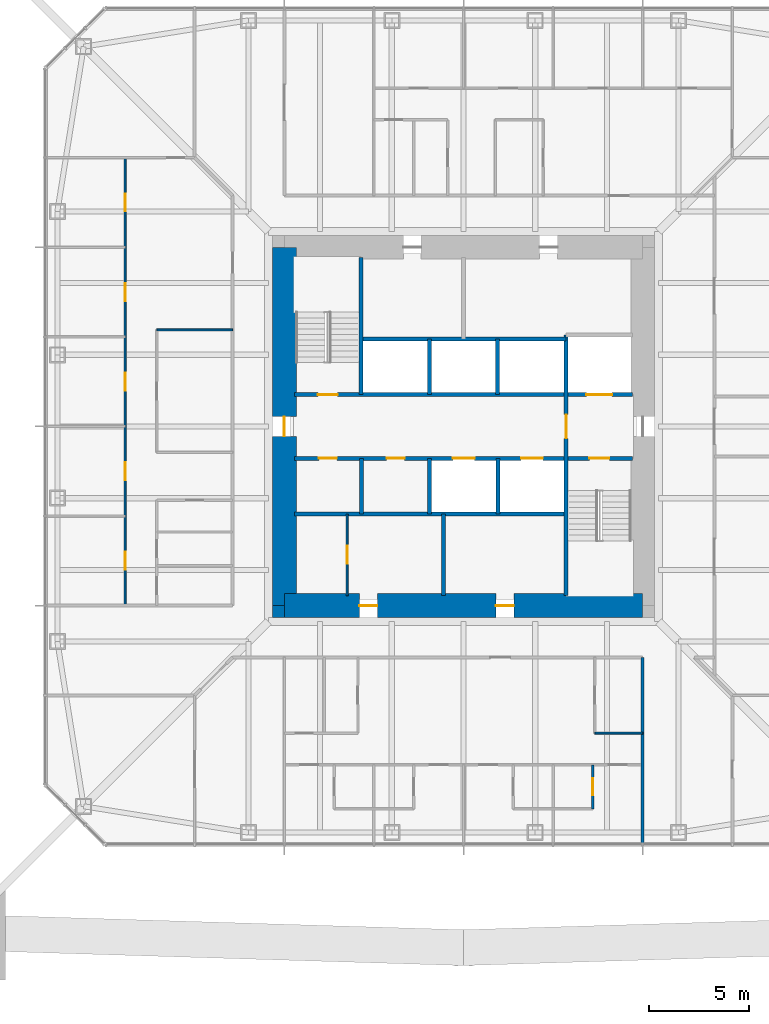
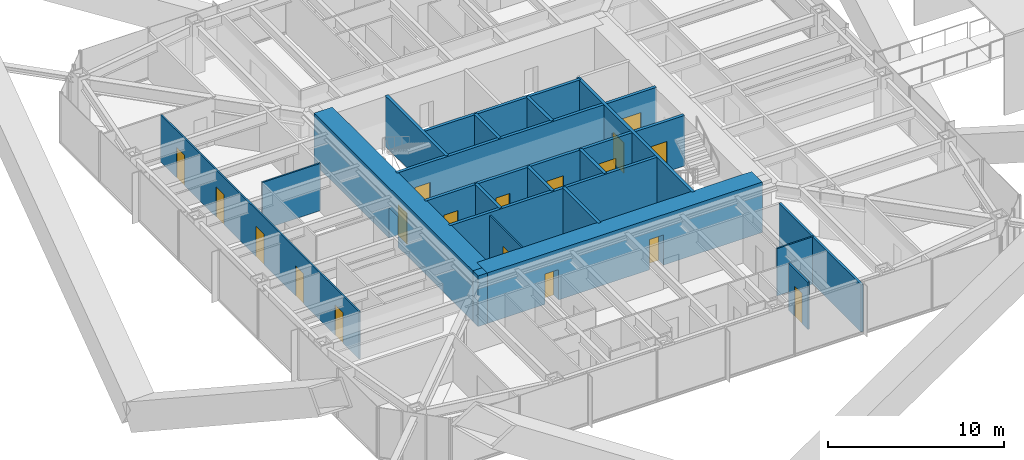
# One storey, part 18 of 28: 21 walls, 18 doors, 18 openings.
"""IFC4 building model written with IfcOpenShell, lengths in metres."""

from ifc_helpers import new_model, si_unit, direction, frame, frame_2d, origin, place, context, subcontext, project, spatial, rectangle, extrude, material, layer, layer_set, type_object, element, fill, save


model = new_model("IFC4")

# Units and contexts
model_context = context("Model", 3, precision=1e-05, world=origin(), true_north=direction((0.0, 1.0)))
body_context = subcontext(model_context, "Body", "Model", "MODEL_VIEW")
ifc_project = project(units=[si_unit("LENGTHUNIT", "METRE"), si_unit("AREAUNIT", "SQUARE_METRE"), si_unit("VOLUMEUNIT", "CUBIC_METRE"), si_unit("PLANEANGLEUNIT", "RADIAN"), si_unit("MASSUNIT", "GRAM", prefix="KILO")], contexts=[model_context])

# Site, building, storey
site_placement = place(None, origin())
site = spatial("IfcSite", under=ifc_project, at=site_placement, CompositionType="ELEMENT")
building_placement = place(site_placement, origin())
building = spatial("IfcBuilding", under=site, at=building_placement, Name="Iwan Alto Co-Living Towers", CompositionType="ELEMENT")
storey_placement = place(building_placement, frame((0.0, 0.0, 98.0)))
storey = spatial("IfcBuildingStorey", under=building, at=storey_placement, Name="L26", CompositionType="ELEMENT", Elevation=98.0)

# Walls
ifc_material_1 = material(Name="Gypsum board")
ifc_layer_1 = layer(ifc_material_1, 0.02490234375, Name="Board", Category="Finish")
ifc_material_2 = material(Name="Steel ASTM A1003 ST33H cold-formed studs", Category="steel")
ifc_layer_2 = layer(ifc_material_2, 0.10009765625, Name="Studs", Category="Framing")
ifc_layer_3 = layer(ifc_material_1, 0.02490234375, Name="Board", Category="Finish")
ifc_layer_set_1 = layer_set([ifc_layer_1, ifc_layer_2, ifc_layer_3], Name="CORRIDOR WALL 150")
wall_type_1 = type_object("IfcWallType", Name="CORRIDOR WALL 150", PredefinedType="PARTITIONING", material=ifc_layer_set_1)
wall_1_placement = place(storey_placement, frame((9.0, -20.93994140625, 0.0), z_axis=(0.0, 0.0, 1.0), x_axis=(0.0, 1.0, 0.0)))
element("IfcWall", 1, at=wall_1_placement, inside=storey, type_object=wall_type_1, Name="Partition L26", PredefinedType="PARTITIONING", context=body_context, shape_type="SweptSolid", body=[
    extrude(rectangle(XDim=9.33984375, YDim=0.14990234375, at=frame_2d((4.669921875, 0.0))), origin(), (0.0, 0.0, 1.0), 3.27001953125),
])
ifc_layer_4 = layer(ifc_material_1, 0.012451171875, Name="Board", Category="Finish")
ifc_layer_5 = layer(ifc_material_2, 0.074951171875, Name="Studs", Category="Framing")
ifc_layer_6 = layer(ifc_material_1, 0.012451171875, Name="Board", Category="Finish")
ifc_layer_set_2 = layer_set([ifc_layer_4, ifc_layer_5, ifc_layer_6], Name="PARTITION 100")
wall_type_2 = type_object("IfcWallType", Name="PARTITION 100", PredefinedType="PARTITIONING", material=ifc_layer_set_2)
wall_2_placement = place(storey_placement, frame((6.60009765625, -15.39990234375, 0.0), z_axis=(0.0, 0.0, 1.0), x_axis=(1.0, 0.0, 0.0)))
element("IfcWall", 2, at=wall_2_placement, inside=storey, type_object=wall_type_2, Name="Partition L26", PredefinedType="PARTITIONING", context=body_context, shape_type="SweptSolid", body=[
    extrude(rectangle(XDim=2.39990234375, YDim=0.10009765625, at=frame_2d((1.199951171875, 0.0))), origin(), (0.0, 0.0, 1.0), 3.27001953125),
])
wall_3_placement = place(storey_placement, frame((-15.39990234375, 4.85009765625, 0.0), z_axis=(0.0, 0.0, 1.0), x_axis=(1.0, 0.0, 0.0)))
element("IfcWall", 3, at=wall_3_placement, inside=storey, type_object=wall_type_2, Name="Partition L26", PredefinedType="PARTITIONING", context=body_context, shape_type="SweptSolid", body=[
    extrude(rectangle(XDim=3.7998046875, YDim=0.10009765625, at=frame_2d((1.89990234375, 0.0))), origin(), (0.0, 0.0, 1.0), 3.27001953125),
])

# Wall, opening, door
wall_4_placement = place(storey_placement, frame((-5.85009765625, -8.489990234375, 0.0), z_axis=(0.0, 0.0, 1.0), x_axis=(0.0, 1.0, 0.0)))
wall_4 = element("IfcWall", 4, at=wall_4_placement, inside=storey, type_object=wall_type_2, Name="Partition L26", PredefinedType="PARTITIONING", context=body_context, shape_type="SweptSolid", body=[
    extrude(rectangle(XDim=4.090087890625, YDim=0.10009765625, at=frame_2d((2.044921875, 0.0))), origin(), (0.0, 0.0, 1.0), 3.300048828125),
])
opening_1_placement = place(wall_4_placement, frame((1.594970703125, 0.0, 0.0)))
opening_1 = element("IfcOpeningElement", 5, at=opening_1_placement, cuts=wall_4, Name="Opening D16", PredefinedType="OPENING", context=body_context, shape_type="SweptSolid", body=[
    extrude(rectangle(XDim=0.89990234375, YDim=2.10009765625, at=frame_2d((0.449951171875, 1.050048828125))), frame((0.0, 0.06005859375, 0.0), z_axis=(0.0, -1.0, 0.0), x_axis=(1.0, 0.0, 0.0)), (0.0, 0.0, 1.0), 0.1201171875),
])
ifc_material_3 = material(Name="Timber leaf in steel frame", Category="steel")
door_type_1 = type_object("IfcDoorType", Name="CUPBOARD SLIDING DOOR 900X2100", OperationType="SLIDING_TO_LEFT", PredefinedType="DOOR", material=ifc_material_3)
door_1_placement = place(opening_1_placement, origin())
door_1 = element("IfcDoor", 6, at=door_1_placement, inside=storey, type_object=door_type_1, Name="Recycling store door L26", OperationType="SLIDING_TO_LEFT", OverallHeight=2.10009765625, OverallWidth=0.89990234375, PredefinedType="DOOR", context=body_context, shape_type="SweptSolid", body=[
    extrude(rectangle(XDim=0.89990234375, YDim=2.10009765625, at=frame_2d((0.449951171875, 1.050048828125))), frame((0.0, 0.02490234375, 0.0), z_axis=(0.0, -1.0, 0.0), x_axis=(1.0, 0.0, 0.0)), (0.0, 0.0, 1.0), 0.050048828125),
])
fill(opening_1, door_1)

# Wall, openings, doors
wall_5_placement = place(storey_placement, frame((-17.0, -9.0, 0.0), z_axis=(0.0, 0.0, 1.0), x_axis=(0.0, 1.0, 0.0)))
wall_5 = element("IfcWall", 7, at=wall_5_placement, inside=storey, type_object=wall_type_2, Name="Partition L26", PredefinedType="PARTITIONING", context=body_context, shape_type="SweptSolid", body=[
    extrude(rectangle(XDim=22.5, YDim=0.10009765625, at=frame_2d((11.25, 0.0))), origin(), (0.0, 0.0, 1.0), 3.27001953125),
])
opening_2_placement = place(wall_5_placement, frame((19.800048828125, 0.0, 0.0)))
opening_2 = element("IfcOpeningElement", 8, at=opening_2_placement, cuts=wall_5, Name="Opening D1", PredefinedType="OPENING", context=body_context, shape_type="SweptSolid", body=[
    extrude(rectangle(XDim=0.89990234375, YDim=2.10009765625, at=frame_2d((0.449951171875, 1.050048828125))), frame((0.0, 0.06005859375, 0.0), z_axis=(0.0, -1.0, 0.0), x_axis=(1.0, 0.0, 0.0)), (0.0, 0.0, 1.0), 0.1201171875),
])
opening_3_placement = place(wall_5_placement, frame((15.300048828125, 0.0, 0.0)))
opening_3 = element("IfcOpeningElement", 9, at=opening_3_placement, cuts=wall_5, Name="Opening D1", PredefinedType="OPENING", context=body_context, shape_type="SweptSolid", body=[
    extrude(rectangle(XDim=0.89990234375, YDim=2.10009765625, at=frame_2d((0.449951171875, 1.050048828125))), frame((0.0, 0.06005859375, 0.0), z_axis=(0.0, -1.0, 0.0), x_axis=(1.0, 0.0, 0.0)), (0.0, 0.0, 1.0), 0.1201171875),
])
opening_4_placement = place(wall_5_placement, frame((10.800048828125, 0.0, 0.0)))
opening_4 = element("IfcOpeningElement", 10, at=opening_4_placement, cuts=wall_5, Name="Opening D1", PredefinedType="OPENING", context=body_context, shape_type="SweptSolid", body=[
    extrude(rectangle(XDim=0.89990234375, YDim=2.10009765625, at=frame_2d((0.449951171875, 1.050048828125))), frame((0.0, 0.06005859375, 0.0), z_axis=(0.0, -1.0, 0.0), x_axis=(1.0, 0.0, 0.0)), (0.0, 0.0, 1.0), 0.1201171875),
])
opening_5_placement = place(wall_5_placement, frame((6.300048828125, 0.0, 0.0)))
opening_5 = element("IfcOpeningElement", 11, at=opening_5_placement, cuts=wall_5, Name="Opening D1", PredefinedType="OPENING", context=body_context, shape_type="SweptSolid", body=[
    extrude(rectangle(XDim=0.89990234375, YDim=2.10009765625, at=frame_2d((0.449951171875, 1.050048828125))), frame((0.0, 0.06005859375, 0.0), z_axis=(0.0, -1.0, 0.0), x_axis=(1.0, 0.0, 0.0)), (0.0, 0.0, 1.0), 0.1201171875),
])
opening_6_placement = place(wall_5_placement, frame((1.800048828125, 0.0, 0.0)))
opening_6 = element("IfcOpeningElement", 12, at=opening_6_placement, cuts=wall_5, Name="Opening D1", PredefinedType="OPENING", context=body_context, shape_type="SweptSolid", body=[
    extrude(rectangle(XDim=0.89990234375, YDim=2.10009765625, at=frame_2d((0.449951171875, 1.050048828125))), frame((0.0, 0.06005859375, 0.0), z_axis=(0.0, -1.0, 0.0), x_axis=(1.0, 0.0, 0.0)), (0.0, 0.0, 1.0), 0.1201171875),
])
ifc_material_4 = material(Name="Timber leaf in steel frame", Category="steel")
door_type_2 = type_object("IfcDoorType", Name="BEDROOM DOOR 900X2100", OperationType="SINGLE_SWING_LEFT", PredefinedType="DOOR", material=ifc_material_4)
door_2_placement = place(opening_2_placement, frame((0.89990234375, 0.0, 0.0), z_axis=(0.0, 0.0, 1.0), x_axis=(-1.0, 0.0, 0.0)))
door_2 = element("IfcDoor", 13, at=door_2_placement, inside=storey, type_object=door_type_2, Name="Study bedroom door L26", OperationType="SINGLE_SWING_LEFT", OverallHeight=2.10009765625, OverallWidth=0.89990234375, PredefinedType="DOOR", context=body_context, shape_type="SweptSolid", body=[
    extrude(rectangle(XDim=0.89990234375, YDim=2.10009765625, at=frame_2d((0.449951171875, 1.050048828125))), frame((0.0, 0.02490234375, 0.0), z_axis=(0.0, -1.0, 0.0), x_axis=(1.0, 0.0, 0.0)), (0.0, 0.0, 1.0), 0.050048828125),
])
fill(opening_2, door_2)
door_3_placement = place(opening_3_placement, frame((0.89990234375, 0.0, 0.0), z_axis=(0.0, 0.0, 1.0), x_axis=(-1.0, 0.0, 0.0)))
door_3 = element("IfcDoor", 14, at=door_3_placement, inside=storey, type_object=door_type_2, Name="Study bedroom door L26", OperationType="SINGLE_SWING_LEFT", OverallHeight=2.10009765625, OverallWidth=0.89990234375, PredefinedType="DOOR", context=body_context, shape_type="SweptSolid", body=[
    extrude(rectangle(XDim=0.89990234375, YDim=2.10009765625, at=frame_2d((0.449951171875, 1.050048828125))), frame((0.0, 0.02490234375, 0.0), z_axis=(0.0, -1.0, 0.0), x_axis=(1.0, 0.0, 0.0)), (0.0, 0.0, 1.0), 0.050048828125),
])
fill(opening_3, door_3)
door_4_placement = place(opening_4_placement, frame((0.89990234375, 0.0, 0.0), z_axis=(0.0, 0.0, 1.0), x_axis=(-1.0, 0.0, 0.0)))
door_4 = element("IfcDoor", 15, at=door_4_placement, inside=storey, type_object=door_type_2, Name="Study bedroom door L26", OperationType="SINGLE_SWING_RIGHT", OverallHeight=2.10009765625, OverallWidth=0.89990234375, PredefinedType="DOOR", context=body_context, shape_type="SweptSolid", body=[
    extrude(rectangle(XDim=0.89990234375, YDim=2.10009765625, at=frame_2d((0.449951171875, 1.050048828125))), frame((0.0, 0.02490234375, 0.0), z_axis=(0.0, -1.0, 0.0), x_axis=(1.0, 0.0, 0.0)), (0.0, 0.0, 1.0), 0.050048828125),
])
fill(opening_4, door_4)
door_5_placement = place(opening_5_placement, frame((0.89990234375, 0.0, 0.0), z_axis=(0.0, 0.0, 1.0), x_axis=(-1.0, 0.0, 0.0)))
door_5 = element("IfcDoor", 16, at=door_5_placement, inside=storey, type_object=door_type_2, Name="Study bedroom door L26", OperationType="SINGLE_SWING_RIGHT", OverallHeight=2.10009765625, OverallWidth=0.89990234375, PredefinedType="DOOR", context=body_context, shape_type="SweptSolid", body=[
    extrude(rectangle(XDim=0.89990234375, YDim=2.10009765625, at=frame_2d((0.449951171875, 1.050048828125))), frame((0.0, 0.02490234375, 0.0), z_axis=(0.0, -1.0, 0.0), x_axis=(1.0, 0.0, 0.0)), (0.0, 0.0, 1.0), 0.050048828125),
])
fill(opening_5, door_5)
door_6_placement = place(opening_6_placement, frame((0.89990234375, 0.0, 0.0), z_axis=(0.0, 0.0, 1.0), x_axis=(-1.0, 0.0, 0.0)))
door_6 = element("IfcDoor", 17, at=door_6_placement, inside=storey, type_object=door_type_2, Name="Study bedroom door L26", OperationType="SINGLE_SWING_RIGHT", OverallHeight=2.10009765625, OverallWidth=0.89990234375, PredefinedType="DOOR", context=body_context, shape_type="SweptSolid", body=[
    extrude(rectangle(XDim=0.89990234375, YDim=2.10009765625, at=frame_2d((0.449951171875, 1.050048828125))), frame((0.0, 0.02490234375, 0.0), z_axis=(0.0, -1.0, 0.0), x_axis=(1.0, 0.0, 0.0)), (0.0, 0.0, 1.0), 0.050048828125),
])
fill(opening_6, door_6)

# Wall
ifc_material_5 = material(Name="Concrete f'c 70 MPa", Category="concrete")
ifc_layer_7 = layer(ifc_material_5, 0.199951171875)
ifc_layer_set_3 = layer_set([ifc_layer_7], Name="SHAFT WALL 200")
wall_type_3 = type_object("IfcWallType", Name="SHAFT WALL 200", PredefinedType="SOLIDWALL", material=ifc_layer_set_3)
wall_6_placement = place(storey_placement, frame((-8.489990234375, -4.39990234375, 0.0), z_axis=(0.0, 0.0, 1.0), x_axis=(1.0, 0.0, 0.0)))
element("IfcWall", 18, at=wall_6_placement, inside=storey, type_object=wall_type_3, Name="Shaft wall L26", PredefinedType="SOLIDWALL", context=body_context, shape_type="SweptSolid", body=[
    extrude(rectangle(XDim=13.639892578125, YDim=0.199951171875, at=frame_2d((6.81982421875, 0.0))), origin(), (0.0, 0.0, 1.0), 3.5),
])

# Wall, openings, doors
wall_7_placement = place(storey_placement, frame((-8.489990234375, -1.60009765625, 0.0), z_axis=(0.0, 0.0, 1.0), x_axis=(1.0, 0.0, 0.0)))
wall_7 = element("IfcWall", 19, at=wall_7_placement, inside=storey, type_object=wall_type_3, Name="Shaft wall L26", PredefinedType="SOLIDWALL", context=body_context, shape_type="SweptSolid", body=[
    extrude(rectangle(XDim=16.97998046875, YDim=0.199951171875, at=frame_2d((8.489990234375, 0.0))), origin(), (0.0, 0.0, 1.0), 3.5),
])
opening_7_placement = place(wall_7_placement, frame((14.81005859375, 0.0, 0.0)))
opening_7 = element("IfcOpeningElement", 20, at=opening_7_placement, cuts=wall_7, Name="Opening D5", PredefinedType="OPENING", context=body_context, shape_type="SweptSolid", body=[
    extrude(rectangle(XDim=1.0, YDim=2.10009765625, at=frame_2d((0.5, 1.050048828125))), frame((0.0, 0.10986328125, 0.0), z_axis=(0.0, -1.0, 0.0), x_axis=(1.0, 0.0, 0.0)), (0.0, 0.0, 1.0), 0.219970703125),
])
opening_8_placement = place(wall_7_placement, frame((1.23193359375, 0.0, 0.0)))
opening_8 = element("IfcOpeningElement", 21, at=opening_8_placement, cuts=wall_7, Name="Opening D15", PredefinedType="OPENING", context=body_context, shape_type="SweptSolid", body=[
    extrude(rectangle(XDim=0.89990234375, YDim=2.10009765625, at=frame_2d((0.449951171875, 1.050048828125))), frame((0.0, 0.10986328125, 0.0), z_axis=(0.0, -1.0, 0.0), x_axis=(1.0, 0.0, 0.0)), (0.0, 0.0, 1.0), 0.219970703125),
])
opening_9_placement = place(wall_7_placement, frame((4.626953125, 0.0, 0.0)))
opening_9 = element("IfcOpeningElement", 22, at=opening_9_placement, cuts=wall_7, Name="Opening D15", PredefinedType="OPENING", context=body_context, shape_type="SweptSolid", body=[
    extrude(rectangle(XDim=0.89990234375, YDim=2.10009765625, at=frame_2d((0.449951171875, 1.050048828125))), frame((0.0, 0.10986328125, 0.0), z_axis=(0.0, -1.0, 0.0), x_axis=(1.0, 0.0, 0.0)), (0.0, 0.0, 1.0), 0.219970703125),
])
opening_10_placement = place(wall_7_placement, frame((7.952880859375, 0.0, 0.0)))
opening_10 = element("IfcOpeningElement", 23, at=opening_10_placement, cuts=wall_7, Name="Opening LD", PredefinedType="OPENING", context=body_context, shape_type="SweptSolid", body=[
    extrude(rectangle(XDim=1.10009765625, YDim=2.10009765625, at=frame_2d((0.550048828125, 1.050048828125))), frame((0.0, 0.10986328125, 0.0), z_axis=(0.0, -1.0, 0.0), x_axis=(1.0, 0.0, 0.0)), (0.0, 0.0, 1.0), 0.219970703125),
])
opening_11_placement = place(wall_7_placement, frame((11.3779296875, 0.0, 0.0)))
opening_11 = element("IfcOpeningElement", 24, at=opening_11_placement, cuts=wall_7, Name="Opening LD", PredefinedType="OPENING", context=body_context, shape_type="SweptSolid", body=[
    extrude(rectangle(XDim=1.10009765625, YDim=2.10009765625, at=frame_2d((0.550048828125, 1.050048828125))), frame((0.0, 0.10986328125, 0.0), z_axis=(0.0, -1.0, 0.0), x_axis=(1.0, 0.0, 0.0)), (0.0, 0.0, 1.0), 0.219970703125),
])
ifc_material_6 = material(Name="Steel frame with timber leaf", Category="steel")
door_type_3 = type_object("IfcDoorType", Name="CORE ROOM DOOR FD60S 900X2100", OperationType="SINGLE_SWING_LEFT", PredefinedType="DOOR", material=ifc_material_6)
door_7_placement = place(opening_8_placement, frame((0.89990234375, 0.0, 0.0), z_axis=(0.0, 0.0, 1.0), x_axis=(-1.0, 0.0, 0.0)))
door_7 = element("IfcDoor", 25, at=door_7_placement, inside=storey, type_object=door_type_3, Name="Guest pantry door L26", OperationType="SINGLE_SWING_LEFT", OverallHeight=2.10009765625, OverallWidth=0.89990234375, PredefinedType="DOOR", context=body_context, shape_type="SweptSolid", body=[
    extrude(rectangle(XDim=0.89990234375, YDim=2.10009765625, at=frame_2d((0.449951171875, 1.050048828125))), frame((0.0, 0.02490234375, 0.0), z_axis=(0.0, -1.0, 0.0), x_axis=(1.0, 0.0, 0.0)), (0.0, 0.0, 1.0), 0.050048828125),
])
fill(opening_8, door_7)
door_8_placement = place(opening_9_placement, frame((0.89990234375, 0.0, 0.0), z_axis=(0.0, 0.0, 1.0), x_axis=(-1.0, 0.0, 0.0)))
door_8 = element("IfcDoor", 26, at=door_8_placement, inside=storey, type_object=door_type_3, Name="Cleaner's store door L26", OperationType="SINGLE_SWING_RIGHT", OverallHeight=2.10009765625, OverallWidth=0.89990234375, PredefinedType="DOOR", context=body_context, shape_type="SweptSolid", body=[
    extrude(rectangle(XDim=0.89990234375, YDim=2.10009765625, at=frame_2d((0.449951171875, 1.050048828125))), frame((0.0, 0.02490234375, 0.0), z_axis=(0.0, -1.0, 0.0), x_axis=(1.0, 0.0, 0.0)), (0.0, 0.0, 1.0), 0.050048828125),
])
fill(opening_9, door_8)
ifc_material_7 = material(Name="Steel frame with timber leaf", Category="steel")
door_type_4 = type_object("IfcDoorType", Name="LIFT LANDING DOOR 1100X2100", OperationType="DOUBLE_DOOR_SLIDING", PredefinedType="DOOR", material=ifc_material_7)
door_9_placement = place(opening_10_placement, origin())
door_9 = element("IfcDoor", 27, at=door_9_placement, inside=storey, type_object=door_type_4, Name="Lift P2-3 landing door L26", OperationType="DOUBLE_DOOR_SLIDING", OverallHeight=2.10009765625, OverallWidth=1.10009765625, PredefinedType="DOOR", context=body_context, shape_type="SweptSolid", body=[
    extrude(rectangle(XDim=1.10009765625, YDim=2.10009765625, at=frame_2d((0.550048828125, 1.050048828125))), frame((0.0, 0.02490234375, 0.0), z_axis=(0.0, -1.0, 0.0), x_axis=(1.0, 0.0, 0.0)), (0.0, 0.0, 1.0), 0.050048828125),
])
fill(opening_10, door_9)
door_10_placement = place(opening_11_placement, origin())
door_10 = element("IfcDoor", 28, at=door_10_placement, inside=storey, type_object=door_type_4, Name="Lift P2-4 landing door L26", OperationType="DOUBLE_DOOR_SLIDING", OverallHeight=2.10009765625, OverallWidth=1.10009765625, PredefinedType="DOOR", context=body_context, shape_type="SweptSolid", body=[
    extrude(rectangle(XDim=1.10009765625, YDim=2.10009765625, at=frame_2d((0.550048828125, 1.050048828125))), frame((0.0, 0.02490234375, 0.0), z_axis=(0.0, -1.0, 0.0), x_axis=(1.0, 0.0, 0.0)), (0.0, 0.0, 1.0), 0.050048828125),
])
fill(opening_11, door_10)
ifc_material_8 = material(Name="Steel frame with timber leaf", Category="steel")
door_type_5 = type_object("IfcDoorType", Name="STAIR DOOR FD120S 1000X2100", OperationType="SINGLE_SWING_LEFT", PredefinedType="DOOR", material=ifc_material_8)
door_11_placement = place(opening_7_placement, frame((1.0, 0.0, 0.0), z_axis=(0.0, 0.0, 1.0), x_axis=(-1.0, 0.0, 0.0)))
door_11 = element("IfcDoor", 29, at=door_11_placement, inside=storey, type_object=door_type_5, Name="Stair S2 door L26", OperationType="SINGLE_SWING_RIGHT", OverallHeight=2.10009765625, OverallWidth=1.0, PredefinedType="DOOR", context=body_context, shape_type="SweptSolid", body=[
    extrude(rectangle(XDim=1.0, YDim=2.10009765625, at=frame_2d((0.5, 1.050048828125))), frame((0.0, 0.02490234375, 0.0), z_axis=(0.0, -1.0, 0.0), x_axis=(1.0, 0.0, 0.0)), (0.0, 0.0, 1.0), 0.050048828125),
])
fill(opening_7, door_11)

wall_8_placement = place(storey_placement, frame((-8.489990234375, 1.60009765625, 0.0), z_axis=(0.0, 0.0, 1.0), x_axis=(1.0, 0.0, 0.0)))
wall_8 = element("IfcWall", 30, at=wall_8_placement, inside=storey, type_object=wall_type_3, Name="Shaft wall L26", PredefinedType="SOLIDWALL", context=body_context, shape_type="SweptSolid", body=[
    extrude(rectangle(XDim=16.97998046875, YDim=0.199951171875, at=frame_2d((8.489990234375, 0.0))), origin(), (0.0, 0.0, 1.0), 3.5),
])
opening_12_placement = place(wall_8_placement, frame((1.169921875, 0.0, 0.0)))
opening_12 = element("IfcOpeningElement", 31, at=opening_12_placement, cuts=wall_8, Name="Opening D5", PredefinedType="OPENING", context=body_context, shape_type="SweptSolid", body=[
    extrude(rectangle(XDim=1.0, YDim=2.10009765625, at=frame_2d((0.5, 1.050048828125))), frame((0.0, 0.10986328125, 0.0), z_axis=(0.0, -1.0, 0.0), x_axis=(1.0, 0.0, 0.0)), (0.0, 0.0, 1.0), 0.219970703125),
])
opening_13_placement = place(wall_8_placement, frame((14.659912109375, 0.0, 0.0)))
opening_13 = element("IfcOpeningElement", 32, at=opening_13_placement, cuts=wall_8, Name="Opening LD2", PredefinedType="OPENING", context=body_context, shape_type="SweptSolid", body=[
    extrude(rectangle(XDim=1.300048828125, YDim=2.10009765625, at=frame_2d((0.64990234375, 1.050048828125))), frame((0.0, 0.10986328125, 0.0), z_axis=(0.0, -1.0, 0.0), x_axis=(1.0, 0.0, 0.0)), (0.0, 0.0, 1.0), 0.219970703125),
])
ifc_material_9 = material(Name="Steel frame with timber leaf", Category="steel")
door_type_6 = type_object("IfcDoorType", Name="LIFT LANDING DOOR 1300X2100", OperationType="SLIDING_TO_LEFT", PredefinedType="DOOR", material=ifc_material_9)
door_12_placement = place(opening_13_placement, origin())
door_12 = element("IfcDoor", 33, at=door_12_placement, inside=storey, type_object=door_type_6, Name="Lift FL1 landing door L26", OperationType="SLIDING_TO_LEFT", OverallHeight=2.10009765625, OverallWidth=1.300048828125, PredefinedType="DOOR", context=body_context, shape_type="SweptSolid", body=[
    extrude(rectangle(XDim=1.300048828125, YDim=2.10009765625, at=frame_2d((0.64990234375, 1.050048828125))), frame((0.0, 0.02490234375, 0.0), z_axis=(0.0, -1.0, 0.0), x_axis=(1.0, 0.0, 0.0)), (0.0, 0.0, 1.0), 0.050048828125),
])
fill(opening_13, door_12)
door_13_placement = place(opening_12_placement, origin())
door_13 = element("IfcDoor", 34, at=door_13_placement, inside=storey, type_object=door_type_5, Name="Stair S1 door L26", OperationType="SINGLE_SWING_RIGHT", OverallHeight=2.10009765625, OverallWidth=1.0, PredefinedType="DOOR", context=body_context, shape_type="SweptSolid", body=[
    extrude(rectangle(XDim=1.0, YDim=2.10009765625, at=frame_2d((0.5, 1.050048828125))), frame((0.0, 0.02490234375, 0.0), z_axis=(0.0, -1.0, 0.0), x_axis=(1.0, 0.0, 0.0)), (0.0, 0.0, 1.0), 0.050048828125),
])
fill(opening_12, door_13)

# Wall
wall_9_placement = place(storey_placement, frame((-5.14990234375, 4.39990234375, 0.0), z_axis=(0.0, 0.0, 1.0), x_axis=(1.0, 0.0, 0.0)))
element("IfcWall", 35, at=wall_9_placement, inside=storey, type_object=wall_type_3, Name="Shaft wall L26", PredefinedType="SOLIDWALL", context=body_context, shape_type="SweptSolid", body=[
    extrude(rectangle(XDim=10.2998046875, YDim=0.199951171875, at=frame_2d((5.14990234375, 0.0))), origin(), (0.0, 0.0, 1.0), 3.5),
])

# Wall, opening, door
wall_10_placement = place(storey_placement, frame((5.14990234375, -8.489990234375, 0.0), z_axis=(0.0, 0.0, 1.0), x_axis=(0.0, 1.0, 0.0)))
wall_10 = element("IfcWall", 36, at=wall_10_placement, inside=storey, type_object=wall_type_3, Name="Shaft wall L26", PredefinedType="SOLIDWALL", context=body_context, shape_type="SweptSolid", body=[
    extrude(rectangle(XDim=13.090087890625, YDim=0.199951171875, at=frame_2d((6.544921875, 0.0))), origin(), (0.0, 0.0, 1.0), 3.5),
])
opening_14_placement = place(wall_10_placement, frame((7.889892578125, 0.0, 0.0)))
opening_14 = element("IfcOpeningElement", 37, at=opening_14_placement, cuts=wall_10, Name="Opening D6", PredefinedType="OPENING", context=body_context, shape_type="SweptSolid", body=[
    extrude(rectangle(XDim=1.199951171875, YDim=2.10009765625, at=frame_2d((0.60009765625, 1.050048828125))), frame((0.0, 0.10986328125, 0.0), z_axis=(0.0, -1.0, 0.0), x_axis=(1.0, 0.0, 0.0)), (0.0, 0.0, 1.0), 0.219970703125),
])
ifc_material_10 = material(Name="Steel frame with timber leaf", Category="steel")
door_type_7 = type_object("IfcDoorType", Name="LOBBY DOOR FD120S 1200X2100", OperationType="SINGLE_SWING_LEFT", PredefinedType="DOOR", material=ifc_material_10)
door_14_placement = place(opening_14_placement, frame((1.199951171875, 0.0, 0.0), z_axis=(0.0, 0.0, 1.0), x_axis=(-1.0, 0.0, 0.0)))
door_14 = element("IfcDoor", 38, at=door_14_placement, inside=storey, type_object=door_type_7, Name="Firefighting lobby door L26", OperationType="SINGLE_SWING_RIGHT", OverallHeight=2.10009765625, OverallWidth=1.199951171875, PredefinedType="DOOR", context=body_context, shape_type="SweptSolid", body=[
    extrude(rectangle(XDim=1.199951171875, YDim=2.10009765625, at=frame_2d((0.60009765625, 1.050048828125))), frame((0.0, 0.02490234375, 0.0), z_axis=(0.0, -1.0, 0.0), x_axis=(1.0, 0.0, 0.0)), (0.0, 0.0, 1.0), 0.050048828125),
])
fill(opening_14, door_14)

# Walls
for number, where, z_axis, x_axis, name in (
    (39, (1.72509765625, -4.39990234375, 0.0), (0.0, 0.0, 1.0), (0.0, 1.0, 0.0), "Shaft wall L26"),
    (40, (1.717041015625, 1.60009765625, 0.0), (0.0, 0.0, 1.0), (0.0, 1.0, 0.0), "Shaft wall L26"),
):
    element("IfcWall", number, at=place(storey_placement, frame(where, z_axis=z_axis, x_axis=x_axis)), inside=storey, type_object=wall_type_3, Name=name, PredefinedType="SOLIDWALL", context=body_context, shape_type="SweptSolid", body=[
        extrude(rectangle(XDim=2.7998046875, YDim=0.199951171875, at=frame_2d((1.39990234375, 0.0))), origin(), (0.0, 0.0, 1.0), 3.5),
    ])
wall_11_placement = place(storey_placement, frame((-1.0, -8.489990234375, 0.0), z_axis=(0.0, 0.0, 1.0), x_axis=(0.0, 1.0, 0.0)))
element("IfcWall", 41, at=wall_11_placement, inside=storey, type_object=wall_type_3, Name="Shaft wall L26", PredefinedType="SOLIDWALL", context=body_context, shape_type="SweptSolid", body=[
    extrude(rectangle(XDim=4.090087890625, YDim=0.199951171875, at=frame_2d((2.044921875, 0.0))), origin(), (0.0, 0.0, 1.0), 3.5),
])
for number, where, z_axis, x_axis, name in (
    (42, (-1.699951171875, -4.39990234375, 0.0), (0.0, 0.0, 1.0), (0.0, 1.0, 0.0), "Shaft wall L26"),
    (43, (-1.717041015625, 1.60009765625, 0.0), (0.0, 0.0, 1.0), (0.0, 1.0, 0.0), "Shaft wall L26"),
    (44, (-5.125, -4.39990234375, 0.0), (0.0, 0.0, 1.0), (0.0, 1.0, 0.0), "Shaft wall L26"),
):
    element("IfcWall", number, at=place(storey_placement, frame(where, z_axis=z_axis, x_axis=x_axis)), inside=storey, type_object=wall_type_3, Name=name, PredefinedType="SOLIDWALL", context=body_context, shape_type="SweptSolid", body=[
        extrude(rectangle(XDim=2.7998046875, YDim=0.199951171875, at=frame_2d((1.39990234375, 0.0))), origin(), (0.0, 0.0, 1.0), 3.5),
    ])
wall_12_placement = place(storey_placement, frame((-5.14990234375, 1.60009765625, 0.0), z_axis=(0.0, 0.0, 1.0), x_axis=(0.0, 1.0, 0.0)))
element("IfcWall", 45, at=wall_12_placement, inside=storey, type_object=wall_type_3, Name="Shaft wall L26", PredefinedType="SOLIDWALL", context=body_context, shape_type="SweptSolid", body=[
    extrude(rectangle(XDim=6.889892578125, YDim=0.199951171875, at=frame_2d((3.44482421875, 0.0))), origin(), (0.0, 0.0, 1.0), 3.5),
])
ifc_material_11 = material(Name="Concrete f'c 70 MPa", Category="concrete")
ifc_layer_8 = layer(ifc_material_11, 0.60009765625)
ifc_layer_set_4 = layer_set([ifc_layer_8], Name="T1 CORE CORNER FILL 600")
wall_type_4 = type_object("IfcWallType", Name="T1 CORE CORNER FILL 600", PredefinedType="SOLIDWALL", material=ifc_layer_set_4)
wall_13_placement = place(storey_placement, frame((-9.60009765625, -9.300048828125, 0.0), z_axis=(0.0, 0.0, 1.0), x_axis=(1.0, 0.0, 0.0)))
element("IfcWall", 46, at=wall_13_placement, inside=storey, type_object=wall_type_4, Name="T1 core corner SW L26", PredefinedType="SOLIDWALL", context=body_context, shape_type="SweptSolid", body=[
    extrude(rectangle(XDim=0.60009765625, YDim=0.60009765625, at=frame_2d((0.300048828125, 0.0))), origin(), (0.0, 0.0, 1.0), 3.5),
])

# Wall, openings, doors
ifc_material_12 = material(Name="Concrete f'c 70 MPa", Category="concrete")
ifc_layer_9 = layer(ifc_material_12, 1.199951171875)
ifc_layer_set_5 = layer_set([ifc_layer_9], Name="T1 CORE WALL 1200")
wall_type_5 = type_object("IfcWallType", Name="T1 CORE WALL 1200", PredefinedType="SHEAR", material=ifc_layer_set_5)
wall_14_placement = place(storey_placement, frame((-9.0, -9.0, 0.0), z_axis=(0.0, 0.0, 1.0), x_axis=(1.0, 0.0, 0.0)))
wall_14 = element("IfcWall", 47, at=wall_14_placement, inside=storey, type_object=wall_type_5, Name="T1 core wall S L26", PredefinedType="SHEAR", context=body_context, shape_type="SweptSolid", body=[
    extrude(rectangle(XDim=18.0, YDim=1.199951171875, at=frame_2d((9.0, 0.0))), origin(), (0.0, 0.0, 1.0), 3.5),
])
opening_15_placement = place(wall_14_placement, frame((3.77490234375, 0.0, 0.0)))
opening_15 = element("IfcOpeningElement", 48, at=opening_15_placement, cuts=wall_14, Name="Opening D8", PredefinedType="OPENING", context=body_context, shape_type="SweptSolid", body=[
    extrude(rectangle(XDim=0.89990234375, YDim=2.10009765625, at=frame_2d((0.449951171875, 1.050048828125))), frame((0.0, 0.60986328125, 0.0), z_axis=(0.0, -1.0, 0.0), x_axis=(1.0, 0.0, 0.0)), (0.0, 0.0, 1.0), 1.219970703125),
])
opening_16_placement = place(wall_14_placement, frame((10.625, 0.0, 0.0)))
opening_16 = element("IfcOpeningElement", 49, at=opening_16_placement, cuts=wall_14, Name="Opening D8", PredefinedType="OPENING", context=body_context, shape_type="SweptSolid", body=[
    extrude(rectangle(XDim=0.89990234375, YDim=2.10009765625, at=frame_2d((0.449951171875, 1.050048828125))), frame((0.0, 0.60986328125, 0.0), z_axis=(0.0, -1.0, 0.0), x_axis=(1.0, 0.0, 0.0)), (0.0, 0.0, 1.0), 1.219970703125),
])
ifc_material_13 = material(Name="Steel frame with timber leaf", Category="steel")
door_type_8 = type_object("IfcDoorType", Name="RISER DOOR FD120 900X2100", OperationType="SINGLE_SWING_LEFT", PredefinedType="DOOR", material=ifc_material_13)
door_15_placement = place(opening_15_placement, origin())
door_15 = element("IfcDoor", 50, at=door_15_placement, inside=storey, type_object=door_type_8, Name="Refuse room core door L26", OperationType="SINGLE_SWING_LEFT", OverallHeight=2.10009765625, OverallWidth=0.89990234375, PredefinedType="DOOR", context=body_context, shape_type="SweptSolid", body=[
    extrude(rectangle(XDim=0.89990234375, YDim=2.10009765625, at=frame_2d((0.449951171875, 1.050048828125))), frame((0.0, 0.02490234375, 0.0), z_axis=(0.0, -1.0, 0.0), x_axis=(1.0, 0.0, 0.0)), (0.0, 0.0, 1.0), 0.050048828125),
])
fill(opening_15, door_15)
door_16_placement = place(opening_16_placement, origin())
door_16 = element("IfcDoor", 51, at=door_16_placement, inside=storey, type_object=door_type_8, Name="Telecom riser core door L26", OperationType="SINGLE_SWING_LEFT", OverallHeight=2.10009765625, OverallWidth=0.89990234375, PredefinedType="DOOR", context=body_context, shape_type="SweptSolid", body=[
    extrude(rectangle(XDim=0.89990234375, YDim=2.10009765625, at=frame_2d((0.449951171875, 1.050048828125))), frame((0.0, 0.02490234375, 0.0), z_axis=(0.0, -1.0, 0.0), x_axis=(1.0, 0.0, 0.0)), (0.0, 0.0, 1.0), 0.050048828125),
])
fill(opening_16, door_16)

# Wall, opening, door
wall_15_placement = place(storey_placement, frame((-9.0, 9.0, 0.0), z_axis=(0.0, 0.0, 1.0), x_axis=(0.0, -1.0, 0.0)))
wall_15 = element("IfcWall", 52, at=wall_15_placement, inside=storey, type_object=wall_type_5, Name="T1 core wall W L26", PredefinedType="SHEAR", context=body_context, shape_type="SweptSolid", body=[
    extrude(rectangle(XDim=18.0, YDim=1.199951171875, at=frame_2d((9.0, 0.0))), origin(), (0.0, 0.0, 1.0), 3.5),
])
opening_17_placement = place(wall_15_placement, frame((8.5, 0.0, 0.0)))
opening_17 = element("IfcOpeningElement", 53, at=opening_17_placement, cuts=wall_15, Name="Opening D7", PredefinedType="OPENING", context=body_context, shape_type="SweptSolid", body=[
    extrude(rectangle(XDim=1.0, YDim=2.10009765625, at=frame_2d((0.5, 1.050048828125))), frame((0.0, 0.60986328125, 0.0), z_axis=(0.0, -1.0, 0.0), x_axis=(1.0, 0.0, 0.0)), (0.0, 0.0, 1.0), 1.219970703125),
])
ifc_material_14 = material(Name="Steel frame with timber leaf", Category="steel")
door_type_9 = type_object("IfcDoorType", Name="CORE DOOR FD120S 1000X2100", OperationType="SINGLE_SWING_LEFT", PredefinedType="DOOR", material=ifc_material_14)
door_17_placement = place(opening_17_placement, origin())
door_17 = element("IfcDoor", 54, at=door_17_placement, inside=storey, type_object=door_type_9, Name="Lift lobby core door L26", OperationType="SINGLE_SWING_RIGHT", OverallHeight=2.10009765625, OverallWidth=1.0, PredefinedType="DOOR", context=body_context, shape_type="SweptSolid", body=[
    extrude(rectangle(XDim=1.0, YDim=2.10009765625, at=frame_2d((0.5, 1.050048828125))), frame((0.0, 0.02490234375, 0.0), z_axis=(0.0, -1.0, 0.0), x_axis=(1.0, 0.0, 0.0)), (0.0, 0.0, 1.0), 0.050048828125),
])
fill(opening_17, door_17)

ifc_material_15 = material(Name="Cement board")
ifc_layer_10 = layer(ifc_material_15, 0.012451171875, Name="Board", Category="Finish")
ifc_layer_11 = layer(ifc_material_2, 0.094970703125, Name="Studs", Category="Framing")
ifc_layer_12 = layer(ifc_material_15, 0.012451171875, Name="Board", Category="Finish")
ifc_layer_set_6 = layer_set([ifc_layer_10, ifc_layer_11, ifc_layer_12], Name="WET AREA PARTITION 120")
wall_type_6 = type_object("IfcWallType", Name="WET AREA PARTITION 120", PredefinedType="PARTITIONING", material=ifc_layer_set_6)
wall_16_placement = place(storey_placement, frame((6.5, -19.199951171875, 0.0), z_axis=(0.0, 0.0, 1.0), x_axis=(0.0, 1.0, 0.0)))
wall_16 = element("IfcWall", 55, at=wall_16_placement, inside=storey, type_object=wall_type_6, Name="Partition L26", PredefinedType="PARTITIONING", context=body_context, shape_type="SweptSolid", body=[
    extrude(rectangle(XDim=2.199951171875, YDim=0.1201171875, at=frame_2d((1.10009765625, 0.0))), origin(), (0.0, 0.0, 1.0), 3.27001953125),
])
opening_18_placement = place(wall_16_placement, frame((0.675048828125, 0.0, 0.0)))
opening_18 = element("IfcOpeningElement", 56, at=opening_18_placement, cuts=wall_16, Name="Opening D2", PredefinedType="OPENING", context=body_context, shape_type="SweptSolid", body=[
    extrude(rectangle(XDim=0.85009765625, YDim=2.10009765625, at=frame_2d((0.425048828125, 1.050048828125))), frame((0.0, 0.070068359375, 0.0), z_axis=(0.0, -1.0, 0.0), x_axis=(1.0, 0.0, 0.0)), (0.0, 0.0, 1.0), 0.14013671875),
])
ifc_material_16 = material(Name="Timber leaf in steel frame", Category="steel")
door_type_10 = type_object("IfcDoorType", Name="ROOM DOOR 850X2100", OperationType="SINGLE_SWING_LEFT", PredefinedType="DOOR", material=ifc_material_16)
door_18_placement = place(opening_18_placement, frame((0.85009765625, 0.0, 0.0), z_axis=(0.0, 0.0, 1.0), x_axis=(-1.0, 0.0, 0.0)))
door_18 = element("IfcDoor", 57, at=door_18_placement, inside=storey, type_object=door_type_10, Name="En-suite shower room door L26", OperationType="SINGLE_SWING_LEFT", OverallHeight=2.10009765625, OverallWidth=0.85009765625, PredefinedType="DOOR", context=body_context, shape_type="SweptSolid", body=[
    extrude(rectangle(XDim=0.85009765625, YDim=2.10009765625, at=frame_2d((0.425048828125, 1.050048828125))), frame((0.0, 0.02490234375, 0.0), z_axis=(0.0, -1.0, 0.0), x_axis=(1.0, 0.0, 0.0)), (0.0, 0.0, 1.0), 0.050048828125),
])
fill(opening_18, door_18)

save(model, "model.ifc")
